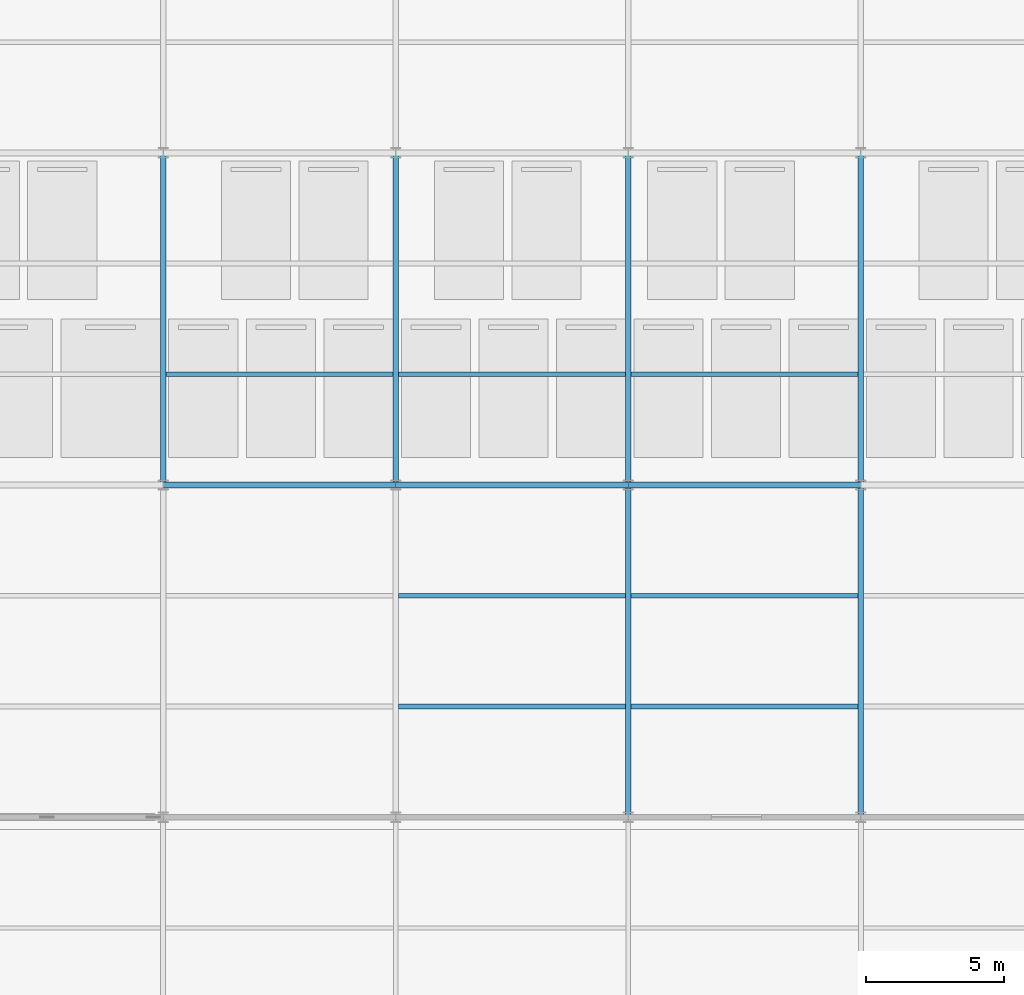
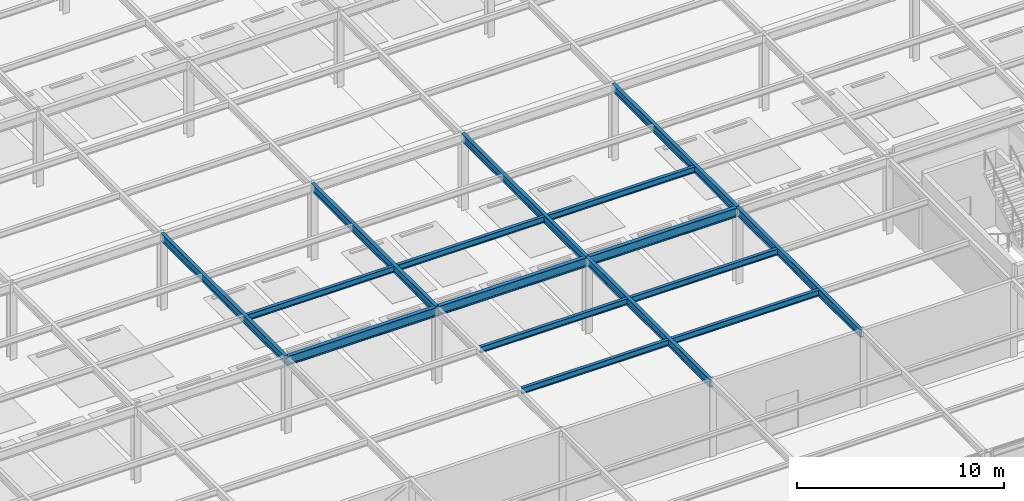
# One storey, part 23 of 82: 16 beams.
"""IFC4 building model written with IfcOpenShell, lengths in metres."""

import ifcopenshell
import ifcopenshell.guid

model = None  # the IFC model being written
_history = None  # IfcOwnerHistory: only IFC2X3 demands one
_inside = {}  # id of a spatial element -> (the spatial element, [elements in it])
_under = {}  # id of a project, library or spatial element -> (it, [spatial elements below it])
_declared = {}  # id of a project -> (the project, [libraries it declares])
_typed = {}  # id of a type object -> (the type object, [elements of that type])
_made_of = {}  # id of a material, layer set ... -> (it, [elements and type objects made of it])


def new_model(schema):
    """Start an empty IFC model of exactly this schema.

    Asked for "IFC4X3", IfcOpenShell would pick the latest addendum, in which some entities
    have other attributes; the version numbers below select the first issue.
    IFC2X3 requires an IfcOwnerHistory on every rooted entity: one is made here for all.
    """
    global model, _history
    if schema == "IFC4X3":
        model = ifcopenshell.file(schema_version=(4, 3, 0, 0))
    else:
        model = ifcopenshell.file(schema=schema)
    _inside.clear()
    _under.clear()
    _declared.clear()
    _typed.clear()
    _made_of.clear()
    _history = None
    if model.schema == "IFC2X3":
        org = make("IfcOrganization", Name="unknown")
        user = make(
            "IfcPersonAndOrganization",
            ThePerson=make("IfcPerson", FamilyName="unknown"),
            TheOrganization=org,
        )
        app = make(
            "IfcApplication",
            ApplicationDeveloper=org,
            Version="unknown",
            ApplicationFullName="unknown",
            ApplicationIdentifier="unknown",
        )
        _history = make(
            "IfcOwnerHistory",
            OwningUser=user,
            OwningApplication=app,
            ChangeAction="ADDED",
            CreationDate=0,
        )
    return model


def make(cls, **values):
    """One entity of the class cls with the attributes given. An attribute that is None is left unset."""
    return model.create_entity(
        cls, **{name: value for name, value in values.items() if value is not None}
    )


def rooted(cls, **values):
    """An entity with a GlobalId (a new one), such as an element, a storey or a relation."""
    return make(cls, GlobalId=ifcopenshell.guid.new(), OwnerHistory=_history, **values)


def si_unit(unit_type, name, prefix=None):
    """IfcSIUnit, for example si_unit("LENGTHUNIT", "METRE", prefix="MILLI")."""
    return make("IfcSIUnit", UnitType=unit_type, Prefix=prefix, Name=name)


def assignment(units):
    """IfcUnitAssignment: the units of a project."""
    return None if units is None else make("IfcUnitAssignment", Units=units)


def point(xyz):
    """IfcCartesianPoint."""
    return None if xyz is None else make("IfcCartesianPoint", Coordinates=xyz)


def direction(xyz):
    """IfcDirection."""
    return None if xyz is None else make("IfcDirection", DirectionRatios=xyz)


def frame(location, z_axis=None, x_axis=None):
    """IfcAxis2Placement3D, a coordinate frame: its origin and axes. An axis left out is left unset."""
    return make(
        "IfcAxis2Placement3D",
        Location=point(location),
        Axis=direction(z_axis),
        RefDirection=direction(x_axis),
    )


def frame_2d(location, x_axis=None):
    """IfcAxis2Placement2D, a coordinate frame in the plane: its origin and x axis."""
    return make(
        "IfcAxis2Placement2D", Location=point(location), RefDirection=direction(x_axis)
    )


def origin():
    """The frame at (0, 0, 0) with its axes left unset."""
    return frame((0.0, 0.0, 0.0))


def origin_2d():
    """The frame at (0, 0) in the plane with its x axis left unset."""
    return frame_2d((0.0, 0.0))


def place(relative_to, where):
    """IfcLocalPlacement: puts the frame where relative to a parent placement (None: the world)."""
    return make(
        "IfcLocalPlacement", PlacementRelTo=relative_to, RelativePlacement=where
    )


def context(
    kind, dimensions, precision=None, world=None, true_north=None, identifier=None
):
    """IfcGeometricRepresentationContext, for example the 3D "Model" context."""
    return make(
        "IfcGeometricRepresentationContext",
        ContextIdentifier=identifier,
        ContextType=kind,
        CoordinateSpaceDimension=dimensions,
        Precision=precision,
        WorldCoordinateSystem=world,
        TrueNorth=true_north,
    )


def subcontext(parent, identifier, kind, view, scale=None):
    """IfcGeometricRepresentationSubContext, for example "Body" below "Model"."""
    return make(
        "IfcGeometricRepresentationSubContext",
        ContextIdentifier=identifier,
        ContextType=kind,
        ParentContext=parent,
        TargetScale=scale,
        TargetView=view,
    )


def project(units=None, contexts=None):
    """IfcProject with its units and contexts."""
    return rooted(
        "IfcProject",
        Name="project",
        RepresentationContexts=contexts,
        UnitsInContext=assignment(units),
    )


def spatial(cls, under=None, at=None, **own):
    """A site, building, storey or space (cls), placed at a placement, below another one or the project."""
    s = rooted(cls, ObjectPlacement=at, **own)
    if under is not None:
        _under.setdefault(under.id(), (under, []))[1].append(s)
    return s


def profile(cls, at=None, kind="AREA", **sizes):
    """A parametric profile (cls). Its sizes go by their IFC names, for example OverallWidth=200.0."""
    return make(cls, ProfileType=kind, Position=at, **sizes)


def i_section(**sizes):
    """IfcIShapeProfileDef."""
    return profile("IfcIShapeProfileDef", **sizes)


def extrude(swept, where, along, depth):
    """IfcExtrudedAreaSolid: the profile swept, set in the frame where, extruded along a direction by depth."""
    return make(
        "IfcExtrudedAreaSolid",
        SweptArea=swept,
        Position=where,
        ExtrudedDirection=direction(along),
        Depth=depth,
    )


def shape(context_of_items, identifier, shape_type, items):
    """IfcShapeRepresentation: the items that make up one representation, for example the "Body"."""
    return make(
        "IfcShapeRepresentation",
        ContextOfItems=context_of_items,
        RepresentationIdentifier=identifier,
        RepresentationType=shape_type,
        Items=items,
    )


def material(Name=None, Category=None):
    """IfcMaterial."""
    return make("IfcMaterial", Name=Name, Category=Category)


def material_profile(
    of_material, cross_section, Name=None, Category=None, Priority=None
):
    """IfcMaterialProfile: a cross section and its material."""
    return make(
        "IfcMaterialProfile",
        Name=Name,
        Material=of_material,
        Profile=cross_section,
        Priority=Priority,
        Category=Category,
    )


def profile_set(profiles, Name=None, composite=None):
    """IfcMaterialProfileSet."""
    return make(
        "IfcMaterialProfileSet",
        Name=Name,
        MaterialProfiles=profiles,
        CompositeProfile=composite,
    )


def made_of(thing, what):
    """Note that an element or type object is made of a material, layer set ...; save() writes the relation."""
    if what is not None:
        _made_of.setdefault(what.id(), (what, []))[1].append(thing)
    return thing


def type_object(cls, material=None, **own):
    """A type object (cls), such as IfcWallType, which elements share."""
    return made_of(rooted(cls, **own), material)


def element(
    cls,
    number,
    at=None,
    inside=None,
    cuts=None,
    type_object=None,
    material=None,
    context=None,
    identifier="Body",
    shape_type=None,
    held_by="IfcProductDefinitionShape",
    body=None,
    shapes=None,
    **own,
):
    """One element of the class cls, such as IfcWall. Its Tag is "e" and its number.

    at: its placement. inside: the storey or other place that contains it. cuts: it is an
    opening in that element (IfcRelVoidsElement). A single representation is given by context,
    identifier, shape_type and body (its items); several are given by shapes. held_by: the class
    of the entity that holds the representations. save() writes the other relations.
    """
    e = rooted(cls, Tag="e%d" % number, ObjectPlacement=at, **own)
    if body is not None:
        shapes = [shape(context, identifier, shape_type, body)]
    if shapes is not None:
        e.Representation = make(held_by, Representations=shapes)
    if inside is not None:
        _inside.setdefault(inside.id(), (inside, []))[1].append(e)
    if cuts is not None:
        rooted(
            "IfcRelVoidsElement", RelatingBuildingElement=cuts, RelatedOpeningElement=e
        )
    if type_object is not None:
        _typed.setdefault(type_object.id(), (type_object, []))[1].append(e)
    return made_of(e, material)


def aggregate(whole, parts):
    """IfcRelAggregates: a whole, such as a stair, and the parts it consists of."""
    return rooted("IfcRelAggregates", RelatingObject=whole, RelatedObjects=parts)


def save(model, path):
    """Write the relations noted so far, then the file.

    IfcRelAggregates (storeys below a building ...), IfcRelContainedInSpatialStructure (elements
    in a storey), IfcRelDefinesByType, IfcRelAssociatesMaterial and IfcRelDeclares: one each for
    every whole, place, type object, material and project.
    """
    for whole, parts in _under.values():
        aggregate(whole, parts)
    for where, things in _inside.values():
        rooted(
            "IfcRelContainedInSpatialStructure",
            RelatedElements=things,
            RelatingStructure=where,
        )
    for kind, things in _typed.values():
        rooted("IfcRelDefinesByType", RelatedObjects=things, RelatingType=kind)
    for what, things in _made_of.values():
        rooted("IfcRelAssociatesMaterial", RelatedObjects=things, RelatingMaterial=what)
    for by, libraries in _declared.values():
        rooted("IfcRelDeclares", RelatingContext=by, RelatedDefinitions=libraries)
    model.write(path)


model = new_model("IFC4")

# Units and contexts
model_context = context("Model", 3, precision=1e-05, world=origin(), true_north=direction((0.0, 1.0)))
body_context = subcontext(model_context, "Body", "Model", "MODEL_VIEW")
ifc_project = project(units=[si_unit("LENGTHUNIT", "METRE"), si_unit("AREAUNIT", "SQUARE_METRE"), si_unit("VOLUMEUNIT", "CUBIC_METRE"), si_unit("PLANEANGLEUNIT", "RADIAN"), si_unit("MASSUNIT", "GRAM", prefix="KILO")], contexts=[model_context])

# Site, building, storey
site_placement = place(None, origin())
site = spatial("IfcSite", under=ifc_project, at=site_placement, CompositionType="ELEMENT")
building_placement = place(site_placement, origin())
building = spatial("IfcBuilding", under=site, at=building_placement, Name="Sitalva Quay Ferry Terminal", CompositionType="ELEMENT")
storey_placement = place(building_placement, frame((0.0, 0.0, 5.39990234375)))
storey = spatial("IfcBuildingStorey", under=building, at=storey_placement, Name="L02", CompositionType="ELEMENT", Elevation=5.39990234375)

# Beams
ifc_material_1 = material(Name="Structural Steel S355JR", Category="steel")
ifc_material_profile_1 = material_profile(ifc_material_1, i_section(OverallWidth=0.19091796875, OverallDepth=0.4599609375, WebThickness=0.010009765625, FlangeThickness=0.01611328125, FilletRadius=0.013916015625, at=origin_2d()), Name="W460x82")
ifc_profile_set_1 = profile_set([ifc_material_profile_1], Name="Structural Steel S355JR")
beam_type_1 = type_object("IfcBeamType", Name="Beam_W460x82", PredefinedType="BEAM", material=ifc_profile_set_1)
for number, where, z_axis, x_axis, name in (
    (1, (109.199951171875, 30.0, 4.22021484375), (0.0, 1.0, 0.0), (-1.0, 0.0, 0.0), "L02 Primary Y girder 0823"),
    (2, (117.60009765625, 30.0, 4.22021484375), (0.0, 1.0, 0.0), (-1.0, 0.0, 0.0), "L02 Primary Y girder 0828"),
    (3, (126.0, 18.0, 4.22021484375), (0.0, 1.0, 0.0), (-1.0, 0.0, 0.0), "L02 Primary Y girder 0832"),
    (4, (126.0, 30.0, 4.22021484375), (0.0, 1.0, 0.0), (-1.0, 0.0, 0.0), "L02 Primary Y girder 0833"),
    (5, (134.39990234375, 18.0, 4.22021484375), (0.0, 1.0, 0.0), (-1.0, 0.0, 0.0), "L02 Primary Y girder 0837"),
    (6, (134.39990234375, 30.0, 4.22021484375), (0.0, 1.0, 0.0), (-1.0, 0.0, 0.0), "L02 Primary Y girder 0838"),
):
    element("IfcBeam", number, at=place(storey_placement, frame(where, z_axis=z_axis, x_axis=x_axis)), inside=storey, type_object=beam_type_1, Name=name, PredefinedType="BEAM", context=body_context, shape_type="SweptSolid", body=[
        extrude(i_section(OverallWidth=0.19091796875, OverallDepth=0.4599609375, WebThickness=0.010009765625, FlangeThickness=0.01611328125, FilletRadius=0.013916015625, at=origin_2d()), origin(), (0.0, 0.0, 1.0), 12.0),
    ])
ifc_material_2 = material(Name="Structural Steel S355JR", Category="steel")
ifc_material_profile_2 = material_profile(ifc_material_2, i_section(OverallWidth=0.2119140625, OverallDepth=0.5439453125, WebThickness=0.01318359375, FlangeThickness=0.021240234375, FilletRadius=0.014892578125, at=origin_2d()), Name="W530x123")
ifc_profile_set_2 = profile_set([ifc_material_profile_2], Name="Structural Steel S355JR")
beam_type_2 = type_object("IfcBeamType", Name="Girder_W530x123", PredefinedType="USERDEFINED", material=ifc_profile_set_2)
beam_placement = place(storey_placement, frame((109.199951171875, 30.0, 4.177978515625), z_axis=(1.0, 0.0, 0.0), x_axis=(0.0, 1.0, 0.0)))
element("IfcBeam", 7, at=beam_placement, inside=storey, type_object=beam_type_2, Name="L02 Primary X girder 0762", ObjectType="GIRDER", PredefinedType="USERDEFINED", context=body_context, shape_type="SweptSolid", body=[
    extrude(i_section(OverallWidth=0.2119140625, OverallDepth=0.5439453125, WebThickness=0.01318359375, FlangeThickness=0.021240234375, FilletRadius=0.014892578125, at=origin_2d()), origin(), (0.0, 0.0, 1.0), 8.400146484375),
])
for number, where, z_axis, x_axis, name in (
    (8, (117.60009765625, 30.0, 4.177978515625), (1.0, 0.0, 0.0), (0.0, 1.0, 0.0), "L02 Primary X girder 0763"),
    (9, (126.0, 30.0, 4.177978515625), (1.0, 0.0, 0.0), (0.0, 1.0, 0.0), "L02 Primary X girder 0764"),
):
    element("IfcBeam", number, at=place(storey_placement, frame(where, z_axis=z_axis, x_axis=x_axis)), inside=storey, type_object=beam_type_2, Name=name, ObjectType="GIRDER", PredefinedType="USERDEFINED", context=body_context, shape_type="SweptSolid", body=[
        extrude(i_section(OverallWidth=0.2119140625, OverallDepth=0.5439453125, WebThickness=0.01318359375, FlangeThickness=0.021240234375, FilletRadius=0.014892578125, at=origin_2d()), origin(), (0.0, 0.0, 1.0), 8.39990234375),
    ])
ifc_material_3 = material(Name="Structural Steel S355JR", Category="steel")
ifc_material_profile_3 = material_profile(ifc_material_3, i_section(OverallWidth=0.172119140625, OverallDepth=0.35791015625, WebThickness=0.0078125, FlangeThickness=0.01318359375, FilletRadius=0.011962890625, at=origin_2d()), Name="W360x57")
ifc_profile_set_3 = profile_set([ifc_material_profile_3], Name="Structural Steel S355JR")
beam_type_3 = type_object("IfcBeamType", Name="Joist_W360x57", PredefinedType="JOIST", material=ifc_profile_set_3)
for number, where, z_axis, x_axis, name in (
    (10, (117.695556640625, 22.0, 4.27099609375), (1.0, 0.0, 0.0), (0.0, 1.0, 0.0), "L02 Secondary joist 0866"),
    (11, (126.095458984375, 22.0, 4.27099609375), (1.0, 0.0, 0.0), (0.0, 1.0, 0.0), "L02 Secondary joist 0867"),
    (12, (117.695556640625, 26.0, 4.27099609375), (1.0, 0.0, 0.0), (0.0, 1.0, 0.0), "L02 Secondary joist 0875"),
    (13, (126.095458984375, 26.0, 4.27099609375), (1.0, 0.0, 0.0), (0.0, 1.0, 0.0), "L02 Secondary joist 0876"),
    (14, (109.29541015625, 34.0, 4.27099609375), (1.0, 0.0, 0.0), (0.0, 1.0, 0.0), "L02 Secondary joist 0883"),
    (15, (117.695556640625, 34.0, 4.27099609375), (1.0, 0.0, 0.0), (0.0, 1.0, 0.0), "L02 Secondary joist 0884"),
    (16, (126.095458984375, 34.0, 4.27099609375), (1.0, 0.0, 0.0), (0.0, 1.0, 0.0), "L02 Secondary joist 0885"),
):
    element("IfcBeam", number, at=place(storey_placement, frame(where, z_axis=z_axis, x_axis=x_axis)), inside=storey, type_object=beam_type_3, Name=name, PredefinedType="JOIST", context=body_context, shape_type="SweptSolid", body=[
        extrude(i_section(OverallWidth=0.172119140625, OverallDepth=0.35791015625, WebThickness=0.0078125, FlangeThickness=0.01318359375, FilletRadius=0.011962890625, at=origin_2d()), origin(), (0.0, 0.0, 1.0), 8.208984375),
    ])

save(model, "model.ifc")
